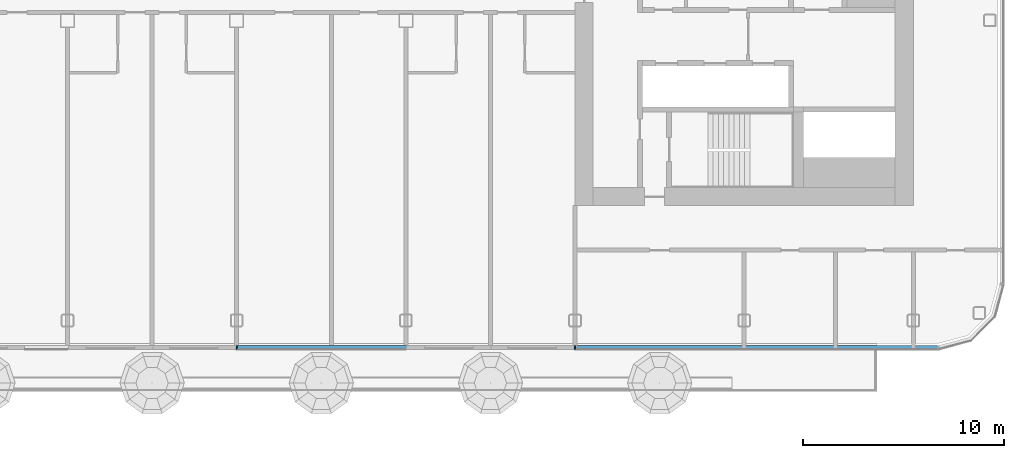
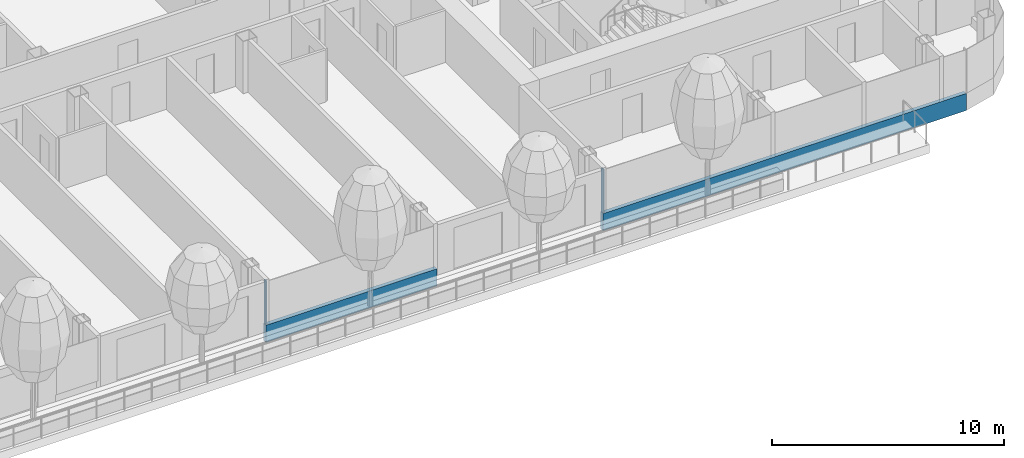
# One storey, part 4 of 28: 4 members, 1 element without a shape of its own.
"""IFC4 building model written with IfcOpenShell, lengths in metres."""

from ifc_helpers import new_model, si_unit, direction, frame, origin, origin_2d, place, context, subcontext, project, spatial, rectangle, extrude, material, layer, layer_set, material_profile, profile_set, type_object, element, aggregate, save


model = new_model("IFC4")

# Units and contexts
model_context = context("Model", 3, precision=1e-05, world=origin(), true_north=direction((0.0, 1.0)))
body_context = subcontext(model_context, "Body", "Model", "MODEL_VIEW")
ifc_project = project(units=[si_unit("LENGTHUNIT", "METRE"), si_unit("AREAUNIT", "SQUARE_METRE"), si_unit("VOLUMEUNIT", "CUBIC_METRE"), si_unit("PLANEANGLEUNIT", "RADIAN"), si_unit("MASSUNIT", "GRAM", prefix="KILO")], contexts=[model_context])

# Site, building, storey
site_placement = place(None, origin())
site = spatial("IfcSite", under=ifc_project, at=site_placement, CompositionType="ELEMENT")
building_placement = place(site_placement, origin())
building = spatial("IfcBuilding", under=site, at=building_placement, Name="Hakoniwa Tower and Hamabe Station Hall", CompositionType="ELEMENT")
storey_placement = place(building_placement, frame((0.0, 0.0, 193.0)))
storey = spatial("IfcBuildingStorey", under=building, at=storey_placement, Name="L54", CompositionType="ELEMENT", Elevation=193.0)

# Curtain wall, members
ifc_material_1 = material(Name="Dark low-e laminated glass", Category="glass")
ifc_layer = layer(ifc_material_1, 0.199951171875)
ifc_layer_set = layer_set([ifc_layer], Name="CW-1 UNITISED GUEST")
curtain_wall_type = type_object("IfcCurtainWallType", Name="CW-1 UNITISED GUEST", PredefinedType="NOTDEFINED", material=ifc_layer_set)
curtain_wall_placement = place(storey_placement, origin())
curtain_wall = element("IfcCurtainWall", 1, at=curtain_wall_placement, inside=storey, type_object=curtain_wall_type, Name="CW-1 curtain wall", PredefinedType="NOTDEFINED")
ifc_material_2 = material(Name="Aluminium 6063-T5 black anodised", Category="aluminium")
ifc_material_profile_1 = material_profile(ifc_material_2, rectangle(XDim=0.199951171875, YDim=0.89990234375, at=origin_2d()), Name="CW SLAB-EDGE BAND 900X200")
ifc_profile_set_1 = profile_set([ifc_material_profile_1], Name="Aluminium 6063-T5 black anodised")
member_type_1 = type_object("IfcMemberType", Name="CW SLAB-EDGE BAND 900X200", PredefinedType="USERDEFINED", material=ifc_profile_set_1)
member_1_placement = place(storey_placement, frame((-0.06005859375, -15.449951171875, -0.10009765625), z_axis=(1.0, 0.0, 0.0), x_axis=(0.0, 1.0, 0.0)))
member_1 = element("IfcMember", 2, at=member_1_placement, type_object=member_type_1, Name="CW-1 transom", ObjectType="TRANSOM", PredefinedType="USERDEFINED", context=body_context, shape_type="SweptSolid", body=[
    extrude(rectangle(XDim=0.199951171875, YDim=0.89990234375, at=origin_2d()), origin(), (0.0, 0.0, 1.0), 8.52001953125),
])
member_2_placement = place(storey_placement, frame((16.739990234375, -15.449951171875, -0.10009765625), z_axis=(1.0, 0.0, 0.0), x_axis=(0.0, 1.0, 0.0)))
member_2 = element("IfcMember", 3, at=member_2_placement, type_object=member_type_1, Name="CW-1 transom", ObjectType="TRANSOM", PredefinedType="USERDEFINED", context=body_context, shape_type="SweptSolid", body=[
    extrude(rectangle(XDim=0.199951171875, YDim=0.89990234375, at=origin_2d()), origin(), (0.0, 0.0, 1.0), 18.099609375),
])
ifc_material_3 = material(Name="Aluminium 6063-T5 black anodised", Category="aluminium")
ifc_material_profile_2 = material_profile(ifc_material_3, rectangle(XDim=0.06005859375, YDim=0.179931640625, at=origin_2d()), Name="CW-1 MULLION 60X180")
ifc_profile_set_2 = profile_set([ifc_material_profile_2], Name="Aluminium 6063-T5 black anodised")
member_type_2 = type_object("IfcMemberType", Name="CW-1 MULLION 60X180", PredefinedType="MULLION", material=ifc_profile_set_2)
member_3_placement = place(storey_placement, frame((0.0, -15.431884765625, 0.35009765625), z_axis=(0.0, 0.0, 1.0), x_axis=(1.0, 0.0, 0.0)))
member_3 = element("IfcMember", 4, at=member_3_placement, type_object=member_type_2, Name="CW-1 mullion", PredefinedType="MULLION", context=body_context, shape_type="SweptSolid", body=[
    extrude(rectangle(XDim=0.06005859375, YDim=0.179931640625, at=origin_2d()), origin(), (0.0, 0.0, 1.0), 2.2998046875),
])
member_4_placement = place(storey_placement, frame((16.800048828125, -15.431884765625, 0.35009765625), z_axis=(0.0, 0.0, 1.0), x_axis=(1.0, 0.0, 0.0)))
member_4 = element("IfcMember", 5, at=member_4_placement, type_object=member_type_2, Name="CW-1 mullion", PredefinedType="MULLION", context=body_context, shape_type="SweptSolid", body=[
    extrude(rectangle(XDim=0.06005859375, YDim=0.179931640625, at=origin_2d()), origin(), (0.0, 0.0, 1.0), 2.2998046875),
])
aggregate(curtain_wall, [member_3, member_4, member_1, member_2])

save(model, "model.ifc")
